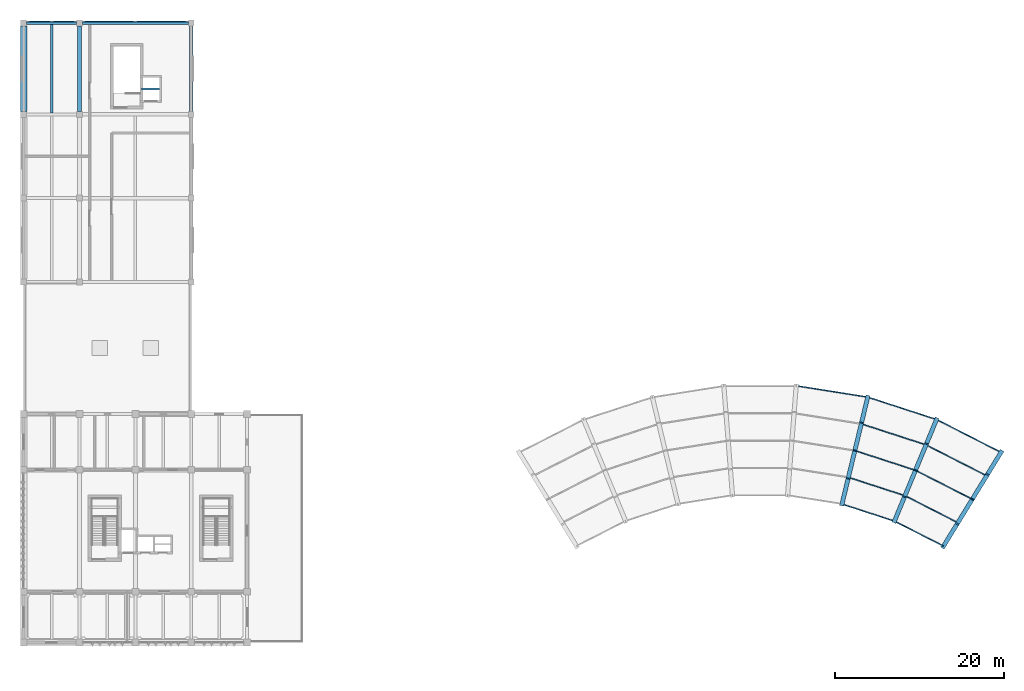
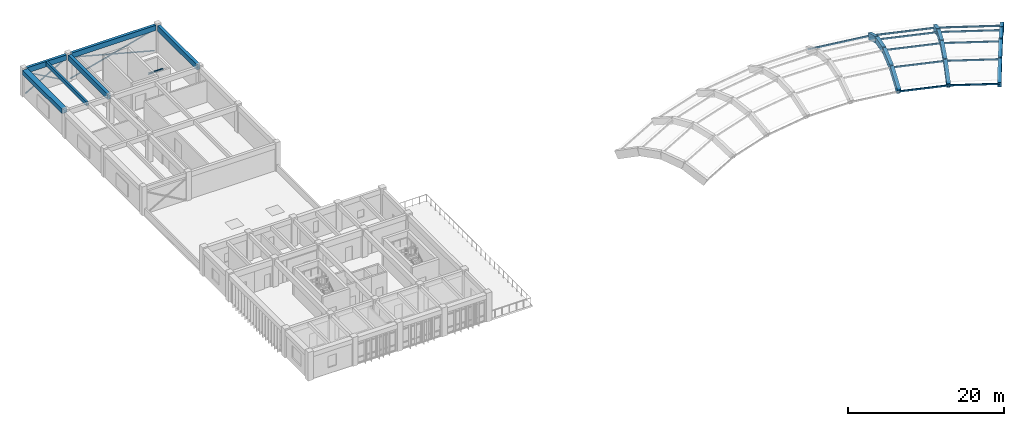
# One storey, part 6 of 18: 19 beams, 17 members.
"""IFC4 building model written with IfcOpenShell, lengths in metres."""

from ifc_helpers import new_model, si_unit, direction, frame, origin, origin_2d, place, context, subcontext, project, spatial, rectangle, hollow_rectangle, i_section, extrude, material, material_profile, profile_set, type_object, element, save


model = new_model("IFC4")

# Units and contexts
model_context = context("Model", 3, precision=1e-05, world=origin(), true_north=direction((0.0, 1.0)))
body_context = subcontext(model_context, "Body", "Model", "MODEL_VIEW")
ifc_project = project(units=[si_unit("LENGTHUNIT", "METRE"), si_unit("AREAUNIT", "SQUARE_METRE"), si_unit("VOLUMEUNIT", "CUBIC_METRE"), si_unit("PLANEANGLEUNIT", "RADIAN"), si_unit("MASSUNIT", "GRAM", prefix="KILO")], contexts=[model_context])

# Site, building, storey
site_placement = place(None, origin())
site = spatial("IfcSite", under=ifc_project, at=site_placement, CompositionType="ELEMENT")
building_placement = place(site_placement, origin())
building = spatial("IfcBuilding", under=site, at=building_placement, Name="Miralva Faculty of Natural Sciences", CompositionType="ELEMENT")
storey_placement = place(building_placement, frame((0.0, 0.0, 28.5)))
storey = spatial("IfcBuildingStorey", under=building, at=storey_placement, Name="L06", CompositionType="ELEMENT", Elevation=28.5)

# Beams
ifc_material_1 = material(Name="Concrete C40/50", Category="concrete")
ifc_material_profile_1 = material_profile(ifc_material_1, rectangle(XDim=0.449951171875, YDim=0.85009765625, at=origin_2d()), Name="RC 450x850")
ifc_profile_set_1 = profile_set([ifc_material_profile_1], Name="Concrete C40/50")
beam_type_1 = type_object("IfcBeamType", Name="BM-B01", PredefinedType="BEAM", material=ifc_profile_set_1)
for number, where, z_axis, x_axis, name in (
    (1, (9.60009765625, 65.75, 3.824951171875), (0.0, 1.0, 0.0), (-1.0, 0.0, 0.0), "Girder NS L06-36"),
    (2, (22.800048828125, 65.75, 3.824951171875), (0.0, 1.0, 0.0), (-1.0, 0.0, 0.0), "Girder NS L06-45"),
):
    element("IfcBeam", number, at=place(storey_placement, frame(where, z_axis=z_axis, x_axis=x_axis)), inside=storey, type_object=beam_type_1, Name=name, PredefinedType="BEAM", context=body_context, shape_type="SweptSolid", body=[
        extrude(rectangle(XDim=0.449951171875, YDim=0.85009765625, at=origin_2d()), origin(), (0.0, 0.0, 1.0), 10.10009765625),
    ])
ifc_material_profile_2 = material_profile(ifc_material_1, rectangle(XDim=0.39990234375, YDim=0.800048828125, at=origin_2d()), Name="RC 400x800")
ifc_profile_set_2 = profile_set([ifc_material_profile_2], Name="Concrete C40/50")
beam_type_2 = type_object("IfcBeamType", Name="BM-B02", PredefinedType="BEAM", material=ifc_profile_set_2)
beam_1_placement = place(storey_placement, frame((9.949951171875, 76.199951171875, 3.85009765625), z_axis=(1.0, 0.0, 0.0), x_axis=(0.0, 1.0, 0.0)))
element("IfcBeam", 3, at=beam_1_placement, inside=storey, type_object=beam_type_2, Name="Girder EW L06-24", PredefinedType="BEAM", context=body_context, shape_type="SweptSolid", body=[
    extrude(rectangle(XDim=0.39990234375, YDim=0.800048828125, at=origin_2d()), origin(), (0.0, 0.0, 1.0), 12.5),
])
ifc_material_profile_3 = material_profile(ifc_material_1, rectangle(XDim=0.3798828125, YDim=0.820068359375, at=origin_2d()), Name="RC 380x820")
ifc_profile_set_3 = profile_set([ifc_material_profile_3], Name="Concrete C40/50")
beam_type_3 = type_object("IfcBeamType", Name="BM-BG08", PredefinedType="BEAM", material=ifc_profile_set_3)
beam_2_placement = place(storey_placement, frame((3.35009765625, 76.199951171875, 3.840087890625), z_axis=(1.0, 0.0, 0.0), x_axis=(0.0, 1.0, 0.0)))
element("IfcBeam", 4, at=beam_2_placement, inside=storey, type_object=beam_type_3, Name="Girder EW L06-23", PredefinedType="BEAM", context=body_context, shape_type="SweptSolid", body=[
    extrude(rectangle(XDim=0.3798828125, YDim=0.820068359375, at=origin_2d()), origin(), (0.0, 0.0, 1.0), 5.89990234375),
])
ifc_material_profile_4 = material_profile(ifc_material_1, rectangle(XDim=0.5, YDim=1.199951171875, at=origin_2d()), Name="RC 500x1200")
ifc_profile_set_4 = profile_set([ifc_material_profile_4], Name="Concrete C40/50")
beam_type_4 = type_object("IfcBeamType", Name="BM-EB01", PredefinedType="BEAM", material=ifc_profile_set_4)
beam_3_placement = place(storey_placement, frame((111.68359375, 14.384521484375, 1.06005859375), z_axis=(0.470232085164, 0.767270581744, 0.436093614346), x_axis=(-0.852616367048, 0.522537396404, 0.0)))
element("IfcBeam", 5, at=beam_3_placement, inside=storey, type_object=beam_type_4, Name="Visible RC shell arch edge beam EB-08 chord 3", PredefinedType="BEAM", context=body_context, shape_type="SweptSolid", body=[
    extrude(rectangle(XDim=0.5, YDim=1.199951171875, at=origin_2d()), origin(), (0.0, 0.0, 1.0), 3.611572265625),
])
beam_4_placement = place(storey_placement, frame((113.3818359375, 17.155517578125, 2.635009765625), z_axis=(0.515766048349, 0.841762820247, 0.15943882156), x_axis=(-0.852670340361, 0.522449318757, 0.0)))
element("IfcBeam", 6, at=beam_4_placement, inside=storey, type_object=beam_type_4, Name="Visible RC shell arch edge beam EB-08 chord 4", PredefinedType="BEAM", context=body_context, shape_type="SweptSolid", body=[
    extrude(rectangle(XDim=0.5, YDim=1.199951171875, at=origin_2d()), origin(), (0.0, 0.0, 1.0), 3.292236328125),
])
beam_5_placement = place(storey_placement, frame((115.079833984375, 19.9267578125, 3.159912109375), z_axis=(0.515852674063, 0.841709006701, -0.159442675278), x_axis=(-0.852616367048, 0.522537396404, 0.0)))
element("IfcBeam", 7, at=beam_5_placement, inside=storey, type_object=beam_type_4, Name="Visible RC shell arch edge beam EB-08 chord 5", PredefinedType="BEAM", context=body_context, shape_type="SweptSolid", body=[
    extrude(rectangle(XDim=0.5, YDim=1.199951171875, at=origin_2d()), origin(), (0.0, 0.0, 1.0), 3.2919921875),
])
beam_6_placement = place(storey_placement, frame((116.778076171875, 22.69775390625, 2.635009765625), z_axis=(0.470207695892, 0.767298383564, -0.436070995716), x_axis=(-0.852636876348, 0.522503930216, 0.0)))
element("IfcBeam", 8, at=beam_6_placement, inside=storey, type_object=beam_type_4, Name="Visible RC shell arch edge beam EB-08 chord 6", PredefinedType="BEAM", context=body_context, shape_type="SweptSolid", body=[
    extrude(rectangle(XDim=0.5, YDim=1.199951171875, at=origin_2d()), origin(), (0.0, 0.0, 1.0), 3.611572265625),
])
ifc_material_profile_5 = material_profile(ifc_material_1, rectangle(XDim=0.5, YDim=0.949951171875, at=origin_2d()), Name="RC 500x950")
ifc_profile_set_5 = profile_set([ifc_material_profile_5], Name="Concrete C40/50")
beam_type_5 = type_object("IfcBeamType", Name="BM-EB02", PredefinedType="BEAM", material=ifc_profile_set_5)
beam_7_placement = place(storey_placement, frame((99.68798828125, 19.353515625, 1.18505859375), z_axis=(0.210104483033, 0.875029738862, 0.436095244546), x_axis=(-0.972362748828, 0.233475233572, 0.0)))
element("IfcBeam", 9, at=beam_7_placement, inside=storey, type_object=beam_type_5, Name="Visible RC shell arch edge beam EB-06 chord 3", PredefinedType="BEAM", context=body_context, shape_type="SweptSolid", body=[
    extrude(rectangle(XDim=0.5, YDim=0.949951171875, at=origin_2d()), origin(), (0.0, 0.0, 1.0), 3.611572265625),
])
for number, where, z_axis, x_axis, name in (
    (10, (100.44677734375, 22.513671875, 2.760009765625), (0.230418180114, 0.959939788669, 0.159446117555), (-0.972379800638, 0.233404205855, 0.0), "Visible RC shell arch edge beam EB-06 chord 4"),
    (11, (101.205322265625, 25.673828125, 3.284912109375), (0.230488401904, 0.959923382961, -0.159443392565), (-0.972362748828, 0.233475233572, 0.0), "Visible RC shell arch edge beam EB-06 chord 5"),
):
    element("IfcBeam", number, at=place(storey_placement, frame(where, z_axis=z_axis, x_axis=x_axis)), inside=storey, type_object=beam_type_5, Name=name, PredefinedType="BEAM", context=body_context, shape_type="SweptSolid", body=[
        extrude(rectangle(XDim=0.5, YDim=0.949951171875, at=origin_2d()), origin(), (0.0, 0.0, 1.0), 3.2919921875),
    ])
beam_8_placement = place(storey_placement, frame((101.964111328125, 28.833984375, 2.760009765625), z_axis=(0.210104483033, 0.875029738862, -0.436095244546), x_axis=(-0.972362748828, 0.233475233572, 0.0)))
element("IfcBeam", 12, at=beam_8_placement, inside=storey, type_object=beam_type_5, Name="Visible RC shell arch edge beam EB-06 chord 6", PredefinedType="BEAM", context=body_context, shape_type="SweptSolid", body=[
    extrude(rectangle(XDim=0.5, YDim=0.949951171875, at=origin_2d()), origin(), (0.0, 0.0, 1.0), 3.611572265625),
])
beam_9_placement = place(storey_placement, frame((105.88134765625, 17.341064453125, 1.18505859375), z_axis=(0.344373939615, 0.831391972789, 0.436112344809), x_axis=(-0.923879489751, 0.382683535598, 0.0)))
element("IfcBeam", 13, at=beam_9_placement, inside=storey, type_object=beam_type_5, Name="Visible RC shell arch edge beam EB-07 chord 3", PredefinedType="BEAM", context=body_context, shape_type="SweptSolid", body=[
    extrude(rectangle(XDim=0.5, YDim=0.949951171875, at=origin_2d()), origin(), (0.0, 0.0, 1.0), 3.611328125),
])
for number, where, z_axis, x_axis, name in (
    (14, (107.125, 20.343505859375, 2.760009765625), (0.377825448319, 0.91204616072, 0.159435665139), (-0.923863931748, 0.382721093768, 0.0), "Visible RC shell arch edge beam EB-07 chord 4"),
    (15, (108.368896484375, 23.34619140625, 3.284912109375), (0.377761875464, 0.91207171306, -0.159440131968), (-0.92389049032, 0.382656976802, 0.0), "Visible RC shell arch edge beam EB-07 chord 5"),
):
    element("IfcBeam", number, at=place(storey_placement, frame(where, z_axis=z_axis, x_axis=x_axis)), inside=storey, type_object=beam_type_5, Name=name, PredefinedType="BEAM", context=body_context, shape_type="SweptSolid", body=[
        extrude(rectangle(XDim=0.5, YDim=0.949951171875, at=origin_2d()), origin(), (0.0, 0.0, 1.0), 3.292236328125),
    ])
beam_10_placement = place(storey_placement, frame((109.612548828125, 26.348876953125, 2.760009765625), z_axis=(0.344373939615, 0.831391972789, -0.436112344809), x_axis=(-0.923879489751, 0.382683535598, 0.0)))
element("IfcBeam", 16, at=beam_10_placement, inside=storey, type_object=beam_type_5, Name="Visible RC shell arch edge beam EB-07 chord 6", PredefinedType="BEAM", context=body_context, shape_type="SweptSolid", body=[
    extrude(rectangle(XDim=0.5, YDim=0.949951171875, at=origin_2d()), origin(), (0.0, 0.0, 1.0), 3.611328125),
])
ifc_material_profile_6 = material_profile(ifc_material_1, rectangle(XDim=0.300048828125, YDim=0.60009765625, at=origin_2d()), Name="RC 300x600")
ifc_profile_set_6 = profile_set([ifc_material_profile_6], Name="Concrete C40/50")
beam_type_6 = type_object("IfcBeamType", Name="BM-J01", PredefinedType="JOIST", material=ifc_profile_set_6)
beam_11_placement = place(storey_placement, frame((6.300048828125, 65.580078125, 3.949951171875), z_axis=(0.0, 1.0, 0.0), x_axis=(-1.0, 0.0, 0.0)))
element("IfcBeam", 17, at=beam_11_placement, inside=storey, type_object=beam_type_6, Name="Floor joist L06-13", PredefinedType="JOIST", context=body_context, shape_type="SweptSolid", body=[
    extrude(rectangle(XDim=0.300048828125, YDim=0.60009765625, at=origin_2d()), origin(), (0.0, 0.0, 1.0), 10.429931640625),
])
ifc_material_2 = material(Name="Steel S355", Category="steel")
ifc_material_profile_7 = material_profile(ifc_material_2, i_section(OverallWidth=0.202880859375, OverallDepth=0.202880859375, WebThickness=0.007080078125, FlangeThickness=0.010986328125, FilletRadius=0.010009765625, at=origin_2d()), Name="W200x46")
ifc_profile_set_7 = profile_set([ifc_material_profile_7], Name="Steel S355")
beam_type_7 = type_object("IfcBeamType", Name="BM-SB04", PredefinedType="BEAM", material=ifc_profile_set_7)
beam_12_placement = place(storey_placement, frame((16.929931640625, 68.39990234375, 3.199951171875), z_axis=(1.0, 0.0, 0.0), x_axis=(0.0, 1.0, 0.0)))
element("IfcBeam", 18, at=beam_12_placement, inside=storey, type_object=beam_type_7, Name="Lift L-04 hoistway separator steel beam", PredefinedType="BEAM", context=body_context, shape_type="SweptSolid", body=[
    extrude(i_section(OverallWidth=0.202880859375, OverallDepth=0.202880859375, WebThickness=0.007080078125, FlangeThickness=0.010986328125, FilletRadius=0.010009765625, at=origin_2d()), origin(), (0.0, 0.0, 1.0), 2.239990234375),
])
ifc_material_profile_8 = material_profile(ifc_material_1, rectangle(XDim=0.75, YDim=0.699951171875, at=origin_2d()), Name="RC 750x700")
ifc_profile_set_8 = profile_set([ifc_material_profile_8], Name="Concrete C40/50")
beam_type_8 = type_object("IfcBeamType", Name="BM-SP01", PredefinedType="SPANDREL", material=ifc_profile_set_8)
beam_13_placement = place(storey_placement, frame((3.0, 65.75, 3.89990234375), z_axis=(0.0, 1.0, 0.0), x_axis=(-1.0, 0.0, 0.0)))
element("IfcBeam", 19, at=beam_13_placement, inside=storey, type_object=beam_type_8, Name="Girder NS L06-30", PredefinedType="SPANDREL", context=body_context, shape_type="SweptSolid", body=[
    extrude(rectangle(XDim=0.75, YDim=0.699951171875, at=origin_2d()), origin(), (0.0, 0.0, 1.0), 10.10009765625),
])

# Members
ifc_material_profile_9 = material_profile(ifc_material_2, hollow_rectangle(XDim=0.14990234375, YDim=0.14990234375, WallThickness=0.008056640625, InnerFilletRadius=0.008056640625, OuterFilletRadius=0.01611328125, at=origin_2d()), Name="HSS 150x150x8")
ifc_profile_set_9 = profile_set([ifc_material_profile_9], Name="Steel S355")
member_type_1 = type_object("IfcMemberType", Name="MEM-BR01", PredefinedType="BRACE", material=ifc_profile_set_9)
member_1_placement = place(storey_placement, frame((3.35009765625, 76.3798828125, 0.050048828125), z_axis=(0.869606161006, 0.0, 0.493746012379), x_axis=(0.0, 1.0, 0.0)))
element("IfcMember", 20, at=member_1_placement, inside=storey, type_object=member_type_1, Name="Mechanical plant solid-wall lateral steel brace 2A", PredefinedType="BRACE", context=body_context, shape_type="SweptSolid", body=[
    extrude(hollow_rectangle(XDim=0.14990234375, YDim=0.14990234375, WallThickness=0.008056640625, InnerFilletRadius=0.008056640625, OuterFilletRadius=0.01611328125, at=origin_2d()), origin(), (0.0, 0.0, 1.0), 6.78466796875),
])
for number, where, z_axis, x_axis, name in (
    (21, (3.35009765625, 76.3798828125, 3.39990234375), (0.869621611408, 0.0, -0.493718799492), (0.0, 1.0, 0.0), "Mechanical plant split lateral steel brace 2B1"),
    (22, (6.300048828125, 76.3798828125, 1.72509765625), (0.869590710301, 0.0, -0.493773223817), (0.0, 1.0, 0.0), "Mechanical plant split lateral steel brace 2B2"),
):
    element("IfcMember", number, at=place(storey_placement, frame(where, z_axis=z_axis, x_axis=x_axis)), inside=storey, type_object=member_type_1, Name=name, PredefinedType="BRACE", context=body_context, shape_type="SweptSolid", body=[
        extrude(hollow_rectangle(XDim=0.14990234375, YDim=0.14990234375, WallThickness=0.008056640625, InnerFilletRadius=0.008056640625, OuterFilletRadius=0.01611328125, at=origin_2d()), origin(), (0.0, 0.0, 1.0), 3.392333984375),
    ])
member_2_placement = place(storey_placement, frame((9.949951171875, 76.3798828125, 0.050048828125), z_axis=(0.965916386514, 0.0, 0.258854272253), x_axis=(0.0, 1.0, 0.0)))
element("IfcMember", 23, at=member_2_placement, inside=storey, type_object=member_type_1, Name="Mechanical plant solid-wall lateral steel brace 3A", PredefinedType="BRACE", context=body_context, shape_type="SweptSolid", body=[
    extrude(hollow_rectangle(XDim=0.14990234375, YDim=0.14990234375, WallThickness=0.008056640625, InnerFilletRadius=0.008056640625, OuterFilletRadius=0.01611328125, at=origin_2d()), origin(), (0.0, 0.0, 1.0), 12.941162109375),
])
for number, where, z_axis, x_axis, name in (
    (24, (9.949951171875, 76.3798828125, 3.39990234375), (0.965921103361, 0.0, -0.258836670666), (0.0, 1.0, 0.0), "Mechanical plant split lateral steel brace 3B1"),
    (25, (16.199951171875, 76.3798828125, 1.72509765625), (0.965911669392, 0.0, -0.258871873582), (0.0, 1.0, 0.0), "Mechanical plant split lateral steel brace 3B2"),
):
    element("IfcMember", number, at=place(storey_placement, frame(where, z_axis=z_axis, x_axis=x_axis)), inside=storey, type_object=member_type_1, Name=name, PredefinedType="BRACE", context=body_context, shape_type="SweptSolid", body=[
        extrude(hollow_rectangle(XDim=0.14990234375, YDim=0.14990234375, WallThickness=0.008056640625, InnerFilletRadius=0.008056640625, OuterFilletRadius=0.01611328125, at=origin_2d()), origin(), (0.0, 0.0, 1.0), 6.470458984375),
    ])
ifc_material_profile_10 = material_profile(ifc_material_2, hollow_rectangle(XDim=0.14990234375, YDim=0.25, WallThickness=0.010009765625, InnerFilletRadius=0.010009765625, OuterFilletRadius=0.02001953125, at=origin_2d()), Name="HSS 250x150x10")
ifc_profile_set_10 = profile_set([ifc_material_profile_10], Name="Steel S355")
member_type_2 = type_object("IfcMemberType", Name="MEM-PU01", PredefinedType="PURLIN", material=ifc_profile_set_10)
member_3_placement = place(storey_placement, frame((94.27587890625, 33.33203125, 1.219970703125), z_axis=(0.987688090289, -0.1564360454, 0.0), x_axis=(0.1564360454, 0.987688090289, 0.0)))
element("IfcMember", 26, at=member_3_placement, inside=storey, type_object=member_type_2, Name="Shell longitudinal purlin B5-K6", PredefinedType="PURLIN", context=body_context, shape_type="SweptSolid", body=[
    extrude(hollow_rectangle(XDim=0.14990234375, YDim=0.25, WallThickness=0.010009765625, InnerFilletRadius=0.010009765625, OuterFilletRadius=0.02001953125, at=origin_2d()), origin(), (0.0, 0.0, 1.0), 8.55224609375),
])
member_4_placement = place(storey_placement, frame((99.68798828125, 19.353515625, 1.219970703125), z_axis=(0.951051699663, -0.309031818051, 0.0), x_axis=(0.309031818051, 0.951051699663, 0.0)))
element("IfcMember", 27, at=member_4_placement, inside=storey, type_object=member_type_2, Name="Shell longitudinal purlin B6-K2", PredefinedType="PURLIN", context=body_context, shape_type="SweptSolid", body=[
    extrude(hollow_rectangle(XDim=0.14990234375, YDim=0.25, WallThickness=0.010009765625, InnerFilletRadius=0.010009765625, OuterFilletRadius=0.02001953125, at=origin_2d()), origin(), (0.0, 0.0, 1.0), 6.51220703125),
])
member_5_placement = place(storey_placement, frame((100.44677734375, 22.513671875, 2.794921875), z_axis=(0.951044799275, -0.309053053329, 0.0), x_axis=(0.309053053329, 0.951044799275, 0.0)))
element("IfcMember", 28, at=member_5_placement, inside=storey, type_object=member_type_2, Name="Shell longitudinal purlin B6-K3", PredefinedType="PURLIN", context=body_context, shape_type="SweptSolid", body=[
    extrude(hollow_rectangle(XDim=0.14990234375, YDim=0.25, WallThickness=0.010009765625, InnerFilletRadius=0.010009765625, OuterFilletRadius=0.02001953125, at=origin_2d()), origin(), (0.0, 0.0, 1.0), 7.02197265625),
])
member_6_placement = place(storey_placement, frame((101.205322265625, 25.673828125, 3.320068359375), z_axis=(0.951054551346, -0.309023041801, 0.0), x_axis=(0.309023041801, 0.951054551346, 0.0)))
element("IfcMember", 29, at=member_6_placement, inside=storey, type_object=member_type_2, Name="Shell longitudinal purlin B6-K4", PredefinedType="PURLIN", context=body_context, shape_type="SweptSolid", body=[
    extrude(hollow_rectangle(XDim=0.14990234375, YDim=0.25, WallThickness=0.010009765625, InnerFilletRadius=0.010009765625, OuterFilletRadius=0.02001953125, at=origin_2d()), origin(), (0.0, 0.0, 1.0), 7.5322265625),
])
member_7_placement = place(storey_placement, frame((101.964111328125, 28.833984375, 2.794921875), z_axis=(0.951057267914, -0.309014681119, 0.0), x_axis=(0.309014681119, 0.951057267914, 0.0)))
element("IfcMember", 30, at=member_7_placement, inside=storey, type_object=member_type_2, Name="Shell longitudinal purlin B6-K5", PredefinedType="PURLIN", context=body_context, shape_type="SweptSolid", body=[
    extrude(hollow_rectangle(XDim=0.14990234375, YDim=0.25, WallThickness=0.010009765625, InnerFilletRadius=0.010009765625, OuterFilletRadius=0.02001953125, at=origin_2d()), origin(), (0.0, 0.0, 1.0), 8.0419921875),
])
member_8_placement = place(storey_placement, frame((102.722900390625, 31.994140625, 1.219970703125), z_axis=(0.95105127035, -0.309033139267, 0.0), x_axis=(0.309033139267, 0.95105127035, 0.0)))
element("IfcMember", 31, at=member_8_placement, inside=storey, type_object=member_type_2, Name="Shell longitudinal purlin B6-K6", PredefinedType="PURLIN", context=body_context, shape_type="SweptSolid", body=[
    extrude(hollow_rectangle(XDim=0.14990234375, YDim=0.25, WallThickness=0.010009765625, InnerFilletRadius=0.010009765625, OuterFilletRadius=0.02001953125, at=origin_2d()), origin(), (0.0, 0.0, 1.0), 8.552001953125),
])
member_9_placement = place(storey_placement, frame((105.88134765625, 17.341064453125, 1.219970703125), z_axis=(0.890997149373, -0.45400889838, 0.0), x_axis=(0.45400889838, 0.890997149373, 0.0)))
element("IfcMember", 32, at=member_9_placement, inside=storey, type_object=member_type_2, Name="Shell longitudinal purlin B7-K2", PredefinedType="PURLIN", context=body_context, shape_type="SweptSolid", body=[
    extrude(hollow_rectangle(XDim=0.14990234375, YDim=0.25, WallThickness=0.010009765625, InnerFilletRadius=0.010009765625, OuterFilletRadius=0.02001953125, at=origin_2d()), origin(), (0.0, 0.0, 1.0), 6.511962890625),
])
member_10_placement = place(storey_placement, frame((107.125, 20.343505859375, 2.794921875), z_axis=(0.891008186769, -0.453987236727, 0.0), x_axis=(0.453987236727, 0.891008186769, 0.0)))
element("IfcMember", 33, at=member_10_placement, inside=storey, type_object=member_type_2, Name="Shell longitudinal purlin B7-K3", PredefinedType="PURLIN", context=body_context, shape_type="SweptSolid", body=[
    extrude(hollow_rectangle(XDim=0.14990234375, YDim=0.25, WallThickness=0.010009765625, InnerFilletRadius=0.010009765625, OuterFilletRadius=0.02001953125, at=origin_2d()), origin(), (0.0, 0.0, 1.0), 7.022216796875),
])
member_11_placement = place(storey_placement, frame((108.368896484375, 23.34619140625, 3.320068359375), z_axis=(0.891004368008, -0.453994731458, 0.0), x_axis=(0.453994731458, 0.891004368008, 0.0)))
element("IfcMember", 34, at=member_11_placement, inside=storey, type_object=member_type_2, Name="Shell longitudinal purlin B7-K4", PredefinedType="PURLIN", context=body_context, shape_type="SweptSolid", body=[
    extrude(hollow_rectangle(XDim=0.14990234375, YDim=0.25, WallThickness=0.010009765625, InnerFilletRadius=0.010009765625, OuterFilletRadius=0.02001953125, at=origin_2d()), origin(), (0.0, 0.0, 1.0), 7.531982421875),
])
member_12_placement = place(storey_placement, frame((109.612548828125, 26.348876953125, 2.794921875), z_axis=(0.891001267591, -0.454000816246, 0.0), x_axis=(0.454000816246, 0.891001267591, 0.0)))
element("IfcMember", 35, at=member_12_placement, inside=storey, type_object=member_type_2, Name="Shell longitudinal purlin B7-K5", PredefinedType="PURLIN", context=body_context, shape_type="SweptSolid", body=[
    extrude(hollow_rectangle(XDim=0.14990234375, YDim=0.25, WallThickness=0.010009765625, InnerFilletRadius=0.010009765625, OuterFilletRadius=0.02001953125, at=origin_2d()), origin(), (0.0, 0.0, 1.0), 8.0419921875),
])
member_13_placement = place(storey_placement, frame((110.856201171875, 29.351318359375, 1.219970703125), z_axis=(0.891021631851, -0.453960848062, 0.0), x_axis=(0.453960848062, 0.891021631851, 0.0)))
element("IfcMember", 36, at=member_13_placement, inside=storey, type_object=member_type_2, Name="Shell longitudinal purlin B7-K6", PredefinedType="PURLIN", context=body_context, shape_type="SweptSolid", body=[
    extrude(hollow_rectangle(XDim=0.14990234375, YDim=0.25, WallThickness=0.010009765625, InnerFilletRadius=0.010009765625, OuterFilletRadius=0.02001953125, at=origin_2d()), origin(), (0.0, 0.0, 1.0), 8.552001953125),
])

save(model, "model.ifc")
